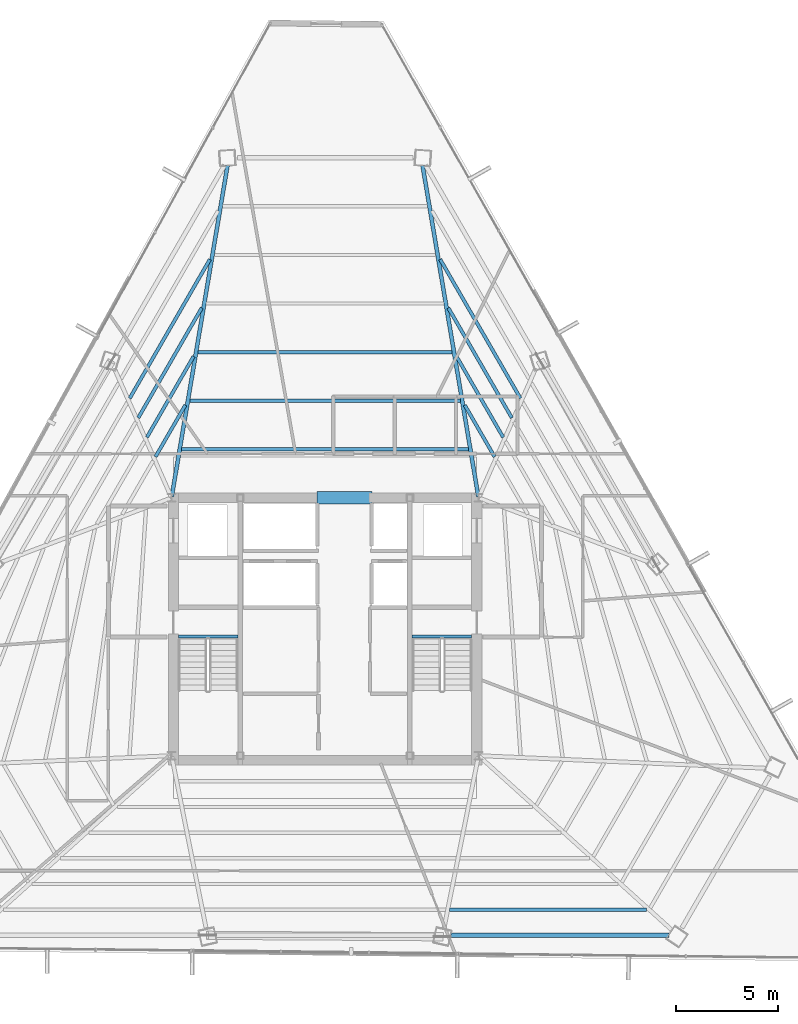
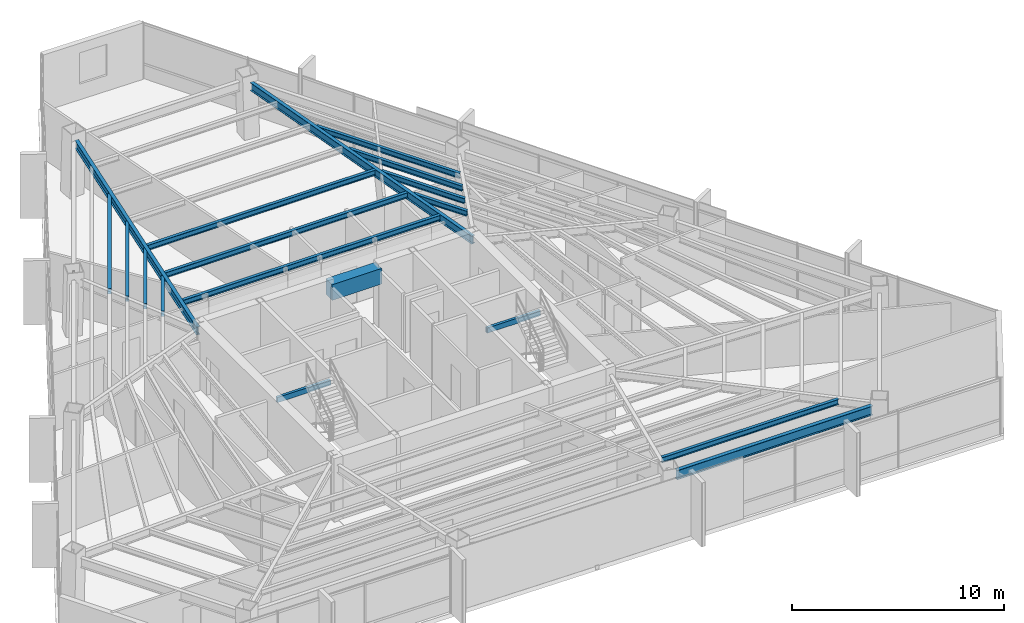
# One storey, part 17 of 40: 18 beams.
"""IFC4 building model written with IfcOpenShell, lengths in metres."""

from ifc_helpers import new_model, si_unit, direction, frame, origin, origin_2d, place, context, subcontext, project, spatial, rectangle, hollow_rectangle, i_section, extrude, source, transform, mapped, material, material_profile, profile_set, type_object, type_shapes, element, save


model = new_model("IFC4")

# Units and contexts
model_context = context("Model", 3, precision=1e-05, world=origin(), true_north=direction((0.0, 1.0)))
body_context = subcontext(model_context, "Body", "Model", "MODEL_VIEW")
ifc_project = project(units=[si_unit("LENGTHUNIT", "METRE"), si_unit("AREAUNIT", "SQUARE_METRE"), si_unit("VOLUMEUNIT", "CUBIC_METRE"), si_unit("PLANEANGLEUNIT", "RADIAN"), si_unit("MASSUNIT", "GRAM", prefix="KILO")], contexts=[model_context])

# Site, building, storey
site_placement = place(None, origin())
site = spatial("IfcSite", under=ifc_project, at=site_placement, CompositionType="ELEMENT")
building_placement = place(site_placement, origin())
building = spatial("IfcBuilding", under=site, at=building_placement, Name="Caelisora Broadcast Tower", CompositionType="ELEMENT")
storey_placement = place(building_placement, frame((0.0, 0.0, 216.89990234375)))
storey = spatial("IfcBuildingStorey", under=building, at=storey_placement, Name="L57", CompositionType="ELEMENT", Elevation=216.89990234375)

# Beams
ifc_material_1 = material(Name="Steel Grade 350 (AS/NZS 1163 C350L0)", Category="steel")
ifc_material_profile_1 = material_profile(ifc_material_1, hollow_rectangle(XDim=0.14990234375, YDim=0.300048828125, WallThickness=0.010009765625, at=origin_2d()), Name="Steel Grade 350 (AS/NZS 1163 C350L0)")
ifc_profile_set_1 = profile_set([ifc_material_profile_1], Name="Steel Grade 350 (AS/NZS 1163 C350L0)")
beam_type_1 = type_object("IfcBeamType", Name="SB05", PredefinedType="JOIST", material=ifc_profile_set_1)
shared_shape_1 = source(origin(), body_context, "Body", "SweptSolid", [
    extrude(hollow_rectangle(XDim=0.14990234375, YDim=0.300048828125, WallThickness=0.010009765625, at=origin_2d()), origin(), (0.0, 0.0, 1.0), 2.89990234375),
])
type_shapes(beam_type_1, [shared_shape_1])
for number, where, z_axis, x_axis, name in (
    (1, (30.840087890625, 23.219970703125, 3.10009765625), (1.0, 0.0, 0.0), (0.0, 1.0, 0.0), "L57 beam SB05"),
    (2, (42.260009765625, 23.219970703125, 3.10009765625), (1.0, 0.0, 0.0), (0.0, 1.0, 0.0), "L57 beam SB05"),
):
    element("IfcBeam", number, at=place(storey_placement, frame(where, z_axis=z_axis, x_axis=x_axis)), inside=storey, type_object=beam_type_1, Name=name, PredefinedType="JOIST", context=body_context, shape_type="MappedRepresentation", body=[
        mapped(shared_shape_1, transform((0.0, 0.0, 0.0), scale=1.0)),
    ])
ifc_material_2 = material(Name="Concrete 50 MPa (AS 3600 S50)", Category="concrete")
ifc_material_profile_2 = material_profile(ifc_material_2, rectangle(XDim=0.60009765625, YDim=0.89990234375, at=origin_2d()), Name="Concrete 50 MPa (AS 3600 S50)")
ifc_profile_set_2 = profile_set([ifc_material_profile_2], Name="Concrete 50 MPa (AS 3600 S50)")
beam_type_2 = type_object("IfcBeamType", Name="CB02", PredefinedType="LINTEL", material=ifc_profile_set_2)
shared_shape_2 = source(origin(), body_context, "Body", "SweptSolid", [
    extrude(rectangle(XDim=0.60009765625, YDim=0.89990234375, at=origin_2d()), origin(), (0.0, 0.0, 1.0), 2.699951171875),
])
type_shapes(beam_type_2, [shared_shape_2])
beam_1_placement = place(storey_placement, frame((37.60009765625, 30.0, 2.9501953125), z_axis=(1.0, 0.0, 0.0), x_axis=(0.0, 1.0, 0.0)))
element("IfcBeam", 3, at=beam_1_placement, inside=storey, type_object=beam_type_2, Name="L57 beam CB02", PredefinedType="LINTEL", context=body_context, shape_type="MappedRepresentation", body=[
    mapped(shared_shape_2, transform((0.0, 0.0, 0.0), scale=1.0)),
])
ifc_material_3 = material(Name="Steel Grade 350 (AS/NZS 3679.1)", Category="steel")
ifc_material_profile_3 = material_profile(ifc_material_3, i_section(OverallWidth=0.166015625, OverallDepth=0.30712890625, WebThickness=0.006591796875, FlangeThickness=0.01171875, at=origin_2d()), Name="Steel Grade 350 (AS/NZS 3679.1)")
ifc_profile_set_3 = profile_set([ifc_material_profile_3], Name="Steel Grade 350 (AS/NZS 3679.1)")
beam_type_3 = type_object("IfcBeamType", Name="SB03", PredefinedType="JOIST", material=ifc_profile_set_3)
shared_shape_3 = source(origin(), body_context, "Body", "SweptSolid", [
    extrude(i_section(OverallWidth=0.166015625, OverallDepth=0.30712890625, WebThickness=0.006591796875, FlangeThickness=0.01171875, at=origin_2d()), origin(), (0.0, 0.0, 1.0), 14.01318359375),
])
beam_2_placement = place(storey_placement, frame((45.006591796875, 32.373046875, 3.096435546875), z_axis=(-1.0, 0.0, 0.0), x_axis=(0.0, -1.0, 0.0)))
element("IfcBeam", 4, at=beam_2_placement, inside=storey, type_object=beam_type_3, Name="L57 beam SB03", PredefinedType="JOIST", context=body_context, shape_type="MappedRepresentation", body=[
    mapped(shared_shape_3, transform((0.0, 0.0, 0.0), scale=1.0)),
])
ifc_material_profile_4 = material_profile(ifc_material_3, i_section(OverallWidth=0.208984375, OverallDepth=0.532958984375, WebThickness=0.01025390625, FlangeThickness=0.015625, at=origin_2d()), Name="Steel Grade 350 (AS/NZS 3679.1)")
ifc_profile_set_4 = profile_set([ifc_material_profile_4], Name="Steel Grade 350 (AS/NZS 3679.1)")
beam_type_4 = type_object("IfcBeamType", Name="PG05", PredefinedType="BEAM", material=ifc_profile_set_4)
shared_shape_4 = source(origin(), body_context, "Body", "SweptSolid", [
    extrude(i_section(OverallWidth=0.208984375, OverallDepth=0.532958984375, WebThickness=0.01025390625, FlangeThickness=0.015625, at=origin_2d()), origin(), (0.0, 0.0, 1.0), 10.6552734375),
])
type_shapes(beam_type_4, [shared_shape_4])
beam_3_placement = place(storey_placement, frame((44.15966796875, 8.621826171875, 2.983642578125), z_axis=(1.0, 0.0, 0.0), x_axis=(0.0, 1.0, 0.0)))
element("IfcBeam", 5, at=beam_3_placement, inside=storey, type_object=beam_type_4, Name="L57 beam PG05", PredefinedType="BEAM", context=body_context, shape_type="MappedRepresentation", body=[
    mapped(shared_shape_4, transform((0.0, 0.0, 0.0), scale=1.0)),
])
ifc_material_profile_5 = material_profile(ifc_material_3, i_section(OverallWidth=0.19091796875, OverallDepth=0.46044921875, WebThickness=0.010009765625, FlangeThickness=0.01611328125, at=origin_2d()), Name="Steel Grade 350 (AS/NZS 3679.1)")
ifc_profile_set_5 = profile_set([ifc_material_profile_5], Name="Steel Grade 350 (AS/NZS 3679.1)")
beam_type_5 = type_object("IfcBeamType", Name="PG06", PredefinedType="BEAM", material=ifc_profile_set_5)
shared_shape_5 = source(origin(), body_context, "Body", "SweptSolid", [
    extrude(i_section(OverallWidth=0.19091796875, OverallDepth=0.46044921875, WebThickness=0.010009765625, FlangeThickness=0.01611328125, at=origin_2d()), origin(), (0.0, 0.0, 1.0), 16.409423828125),
])
type_shapes(beam_type_5, [shared_shape_5])
for number, where, z_axis, x_axis, name in (
    (6, (45.489990234375, 30.05908203125, 3.02001953125), (-0.166068305379, 0.986114251975, 0.0), (-0.986114251975, -0.166068305379, 0.0), "L57 beam PG06"),
    (7, (30.510009765625, 30.05908203125, 3.02001953125), (0.166068305379, 0.986114251975, 0.0), (-0.986114251975, 0.166068305379, 0.0), "L57 beam PG06"),
):
    element("IfcBeam", number, at=place(storey_placement, frame(where, z_axis=z_axis, x_axis=x_axis)), inside=storey, type_object=beam_type_5, Name=name, PredefinedType="BEAM", context=body_context, shape_type="MappedRepresentation", body=[
        mapped(shared_shape_5, transform((0.0, 0.0, 0.0), scale=1.0)),
    ])
shared_shape_6 = source(origin(), body_context, "Body", "SweptSolid", [
    extrude(i_section(OverallWidth=0.166015625, OverallDepth=0.30712890625, WebThickness=0.006591796875, FlangeThickness=0.01171875, at=origin_2d()), origin(), (0.0, 0.0, 1.0), 13.2138671875),
])
beam_4_placement = place(storey_placement, frame((44.60693359375, 34.74609375, 3.096435546875), z_axis=(-1.0, 0.0, 0.0), x_axis=(0.0, -1.0, 0.0)))
element("IfcBeam", 8, at=beam_4_placement, inside=storey, type_object=beam_type_3, Name="L57 beam SB03", PredefinedType="JOIST", context=body_context, shape_type="MappedRepresentation", body=[
    mapped(shared_shape_6, transform((0.0, 0.0, 0.0), scale=1.0)),
])
shared_shape_7 = source(origin(), body_context, "Body", "SweptSolid", [
    extrude(i_section(OverallWidth=0.166015625, OverallDepth=0.30712890625, WebThickness=0.006591796875, FlangeThickness=0.01171875, at=origin_2d()), origin(), (0.0, 0.0, 1.0), 12.41455078125),
])
beam_5_placement = place(storey_placement, frame((44.207275390625, 37.119384765625, 3.096435546875), z_axis=(-1.0, 0.0, 0.0), x_axis=(0.0, -1.0, 0.0)))
element("IfcBeam", 9, at=beam_5_placement, inside=storey, type_object=beam_type_3, Name="L57 beam SB03", PredefinedType="JOIST", context=body_context, shape_type="MappedRepresentation", body=[
    mapped(shared_shape_7, transform((0.0, 0.0, 0.0), scale=1.0)),
])
shared_shape_8 = source(origin(), body_context, "Body", "SweptSolid", [
    extrude(i_section(OverallWidth=0.166015625, OverallDepth=0.30712890625, WebThickness=0.006591796875, FlangeThickness=0.01171875, at=origin_2d()), origin(), (0.0, 0.0, 1.0), 2.91845703125),
])
for number, where, z_axis, x_axis, name in (
    (10, (31.17529296875, 34.531005859375, 3.096435546875), (-0.500079678529, -0.865979396477, 0.0), (0.865979396477, -0.500079678529, 0.0), "L57 beam SB03"),
    (11, (46.2841796875, 32.003662109375, 3.096435546875), (-0.500079678529, 0.865979396477, 0.0), (-0.865979396477, -0.500079678529, 0.0), "L57 beam SB03"),
):
    element("IfcBeam", number, at=place(storey_placement, frame(where, z_axis=z_axis, x_axis=x_axis)), inside=storey, type_object=beam_type_3, Name=name, PredefinedType="JOIST", context=body_context, shape_type="MappedRepresentation", body=[
        mapped(shared_shape_8, transform((0.0, 0.0, 0.0), scale=1.0)),
    ])
shared_shape_9 = source(origin(), body_context, "Body", "SweptSolid", [
    extrude(i_section(OverallWidth=0.166015625, OverallDepth=0.30712890625, WebThickness=0.006591796875, FlangeThickness=0.01171875, at=origin_2d()), origin(), (0.0, 0.0, 1.0), 4.5595703125),
])
for number, where, z_axis, x_axis, name in (
    (12, (31.57470703125, 36.904296875, 3.096435546875), (-0.499957299794, -0.866050055356, 0.0), (0.866050055356, -0.499957299794, 0.0), "L57 beam SB03"),
    (13, (46.704833984375, 32.95556640625, 3.096435546875), (-0.499957299794, 0.866050055356, 0.0), (-0.866050055356, -0.499957299794, 0.0), "L57 beam SB03"),
):
    element("IfcBeam", number, at=place(storey_placement, frame(where, z_axis=z_axis, x_axis=x_axis)), inside=storey, type_object=beam_type_3, Name=name, PredefinedType="JOIST", context=body_context, shape_type="MappedRepresentation", body=[
        mapped(shared_shape_9, transform((0.0, 0.0, 0.0), scale=1.0)),
    ])
shared_shape_10 = source(origin(), body_context, "Body", "SweptSolid", [
    extrude(i_section(OverallWidth=0.166015625, OverallDepth=0.30712890625, WebThickness=0.006591796875, FlangeThickness=0.01171875, at=origin_2d()), origin(), (0.0, 0.0, 1.0), 6.20068359375),
])
for number, where, z_axis, x_axis, name in (
    (14, (31.974609375, 39.27734375, 3.096435546875), (-0.500005339912, -0.866022320763, 0.0), (0.866022320763, -0.500005339912, 0.0), "L57 beam SB03"),
    (15, (47.125732421875, 33.907470703125, 3.096435546875), (-0.500005339912, 0.866022320763, 0.0), (-0.866022320763, -0.500005339912, 0.0), "L57 beam SB03"),
):
    element("IfcBeam", number, at=place(storey_placement, frame(where, z_axis=z_axis, x_axis=x_axis)), inside=storey, type_object=beam_type_3, Name=name, PredefinedType="JOIST", context=body_context, shape_type="MappedRepresentation", body=[
        mapped(shared_shape_10, transform((0.0, 0.0, 0.0), scale=1.0)),
    ])
shared_shape_11 = source(origin(), body_context, "Body", "SweptSolid", [
    extrude(i_section(OverallWidth=0.166015625, OverallDepth=0.30712890625, WebThickness=0.006591796875, FlangeThickness=0.01171875, at=origin_2d()), origin(), (0.0, 0.0, 1.0), 7.841552734375),
])
for number, where, z_axis, x_axis, name in (
    (16, (32.3740234375, 41.650390625, 3.096435546875), (-0.499986571201, -0.866033156767, 0.0), (0.866033156767, -0.499986571201, 0.0), "L57 beam SB03"),
    (17, (47.546630859375, 34.859375, 3.096435546875), (-0.499986571201, 0.866033156767, 0.0), (-0.866033156767, -0.499986571201, 0.0), "L57 beam SB03"),
):
    element("IfcBeam", number, at=place(storey_placement, frame(where, z_axis=z_axis, x_axis=x_axis)), inside=storey, type_object=beam_type_3, Name=name, PredefinedType="JOIST", context=body_context, shape_type="MappedRepresentation", body=[
        mapped(shared_shape_11, transform((0.0, 0.0, 0.0), scale=1.0)),
    ])
shared_shape_12 = source(origin(), body_context, "Body", "SweptSolid", [
    extrude(i_section(OverallWidth=0.166015625, OverallDepth=0.30712890625, WebThickness=0.006591796875, FlangeThickness=0.01171875, at=origin_2d()), origin(), (0.0, 0.0, 1.0), 9.6123046875),
])
type_shapes(beam_type_3, [shared_shape_3, shared_shape_6, shared_shape_7, shared_shape_8, shared_shape_9, shared_shape_10, shared_shape_11, shared_shape_12])
beam_6_placement = place(storey_placement, frame((44.089111328125, 9.875732421875, 3.096435546875), z_axis=(1.0, 0.0, 0.0), x_axis=(0.0, 1.0, 0.0)))
element("IfcBeam", 18, at=beam_6_placement, inside=storey, type_object=beam_type_3, Name="L57 beam SB03", PredefinedType="JOIST", context=body_context, shape_type="MappedRepresentation", body=[
    mapped(shared_shape_12, transform((0.0, 0.0, 0.0), scale=1.0)),
])

save(model, "model.ifc")
